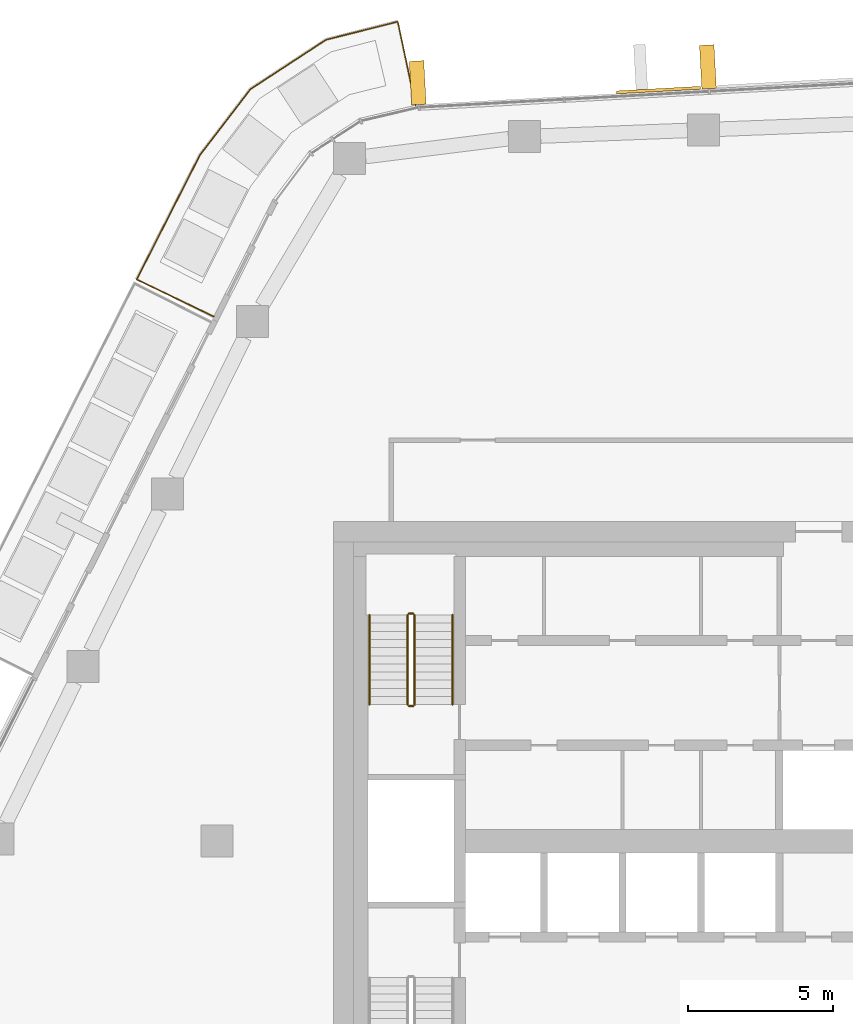
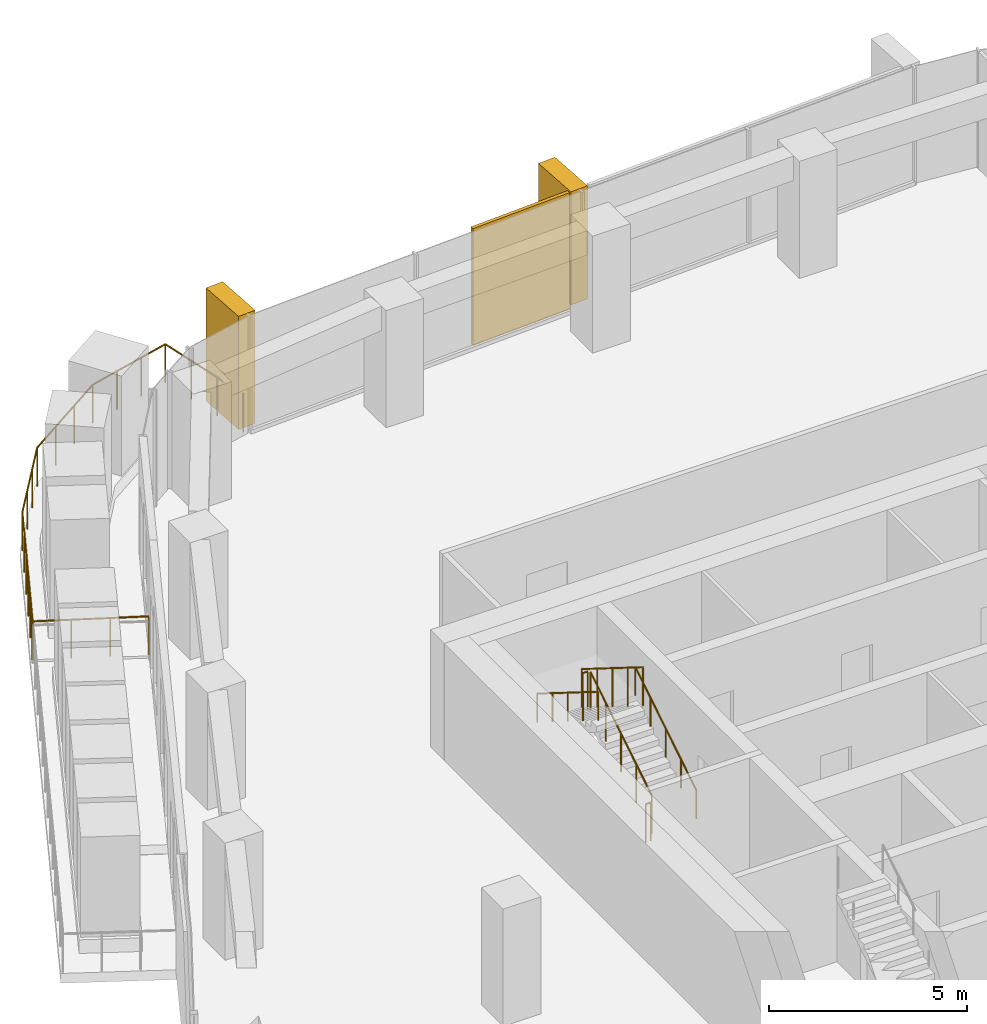
# One storey, part 19 of 21: 7 railings, 3 coverings, 1 element without a shape of its own.
"""IFC4 building model written with IfcOpenShell, lengths in metres."""

from ifc_helpers import new_model, si_unit, direction, frame, origin, origin_2d, place, context, subcontext, project, spatial, rectangle, circle, extrude, material, layer, layer_set, material_profile, profile_set, type_object, element, aggregate, save


model = new_model("IFC4")

# Units and contexts
model_context = context("Model", 3, precision=1e-05, world=origin(), true_north=direction((0.0, 1.0)))
body_context = subcontext(model_context, "Body", "Model", "MODEL_VIEW")
ifc_project = project(units=[si_unit("LENGTHUNIT", "METRE"), si_unit("AREAUNIT", "SQUARE_METRE"), si_unit("VOLUMEUNIT", "CUBIC_METRE"), si_unit("PLANEANGLEUNIT", "RADIAN"), si_unit("MASSUNIT", "GRAM", prefix="KILO")], contexts=[model_context])

# Site, building, storey
site_placement = place(None, origin())
site = spatial("IfcSite", under=ifc_project, at=site_placement, CompositionType="ELEMENT")
building_placement = place(site_placement, origin())
building = spatial("IfcBuilding", under=site, at=building_placement, Name="Dongbaek Canopy Tower", CompositionType="ELEMENT")
storey_placement = place(building_placement, frame((0.0, 0.0, 279.0)))
storey = spatial("IfcBuildingStorey", under=building, at=storey_placement, Name="L59", CompositionType="ELEMENT", Elevation=279.0)

# Railing
ifc_material_1 = material(Name="Stainless steel", Category="steel")
railing_type_1 = type_object("IfcRailingType", Name="Balcony balustrade 1200", PredefinedType="BALUSTRADE", material=ifc_material_1)
railing_1_placement = place(storey_placement, frame((-11.169921875, 25.3232421875, 0.0)))
element("IfcRailing", 1, at=railing_1_placement, inside=storey, type_object=railing_type_1, Name="Balcony guard L59 4", PredefinedType="BALUSTRADE", context=body_context, shape_type="SweptSolid", body=[
    extrude(circle(Radius=0.02392578125, at=origin_2d()), frame((0.0, 0.0, 1.17578125), z_axis=(-0.207646253832, 0.978203983466, 0.0), x_axis=(-0.978203983466, -0.207646253832, 0.0)), (0.0, 0.0, 1.0), 2.940673828125),
    extrude(circle(Radius=0.02392578125, at=origin_2d()), frame((-0.610595703125, 2.87646484375, 1.17578125), z_axis=(-0.969632826902, -0.244565289839, 0.0), x_axis=(0.244565289839, -0.969632826902, 0.0)), (0.0, 0.0, 1.0), 2.546630859375),
    extrude(circle(Radius=0.02392578125, at=origin_2d()), frame((-3.079833984375, 2.253662109375, 1.17578125), z_axis=(-0.837080327028, -0.547079999728, 0.0), x_axis=(0.547079999728, -0.837080327028, 0.0)), (0.0, 0.0, 1.0), 3.107421875),
    extrude(circle(Radius=0.02392578125, at=origin_2d()), frame((-5.680908203125, 0.5537109375, 1.17578125), z_axis=(-0.608618369296, -0.793463093379, 0.0), x_axis=(0.793463093379, -0.608618369296, 0.0)), (0.0, 0.0, 1.0), 2.852783203125),
    extrude(circle(Radius=0.02392578125, at=origin_2d()), frame((-7.417236328125, -1.7099609375, 1.17578125), z_axis=(-0.453134525134, -0.891442147383, 0.0), x_axis=(0.891442147383, -0.453134525134, 0.0)), (0.0, 0.0, 1.0), 4.80810546875),
    extrude(circle(Radius=0.02392578125, at=origin_2d()), frame((-9.595947265625, -5.99609375, 1.17578125), z_axis=(0.901533421436, -0.432709475322, 0.0), x_axis=(0.432709475322, 0.901533421436, 0.0)), (0.0, 0.0, 1.0), 2.940673828125),
    extrude(circle(Radius=0.02099609375, at=origin_2d()), origin(), (0.0, 0.0, 1.0), 1.15185546875),
    extrude(circle(Radius=0.02099609375, at=origin_2d()), frame((-0.20361328125, 0.958740234375, 0.0)), (0.0, 0.0, 1.0), 1.15185546875),
    extrude(circle(Radius=0.02099609375, at=origin_2d()), frame((-0.406982421875, 1.917724609375, 0.0)), (0.0, 0.0, 1.0), 1.15185546875),
    extrude(circle(Radius=0.02099609375, at=origin_2d()), frame((-0.610595703125, 2.87646484375, 0.0)), (0.0, 0.0, 1.0), 1.15185546875),
    extrude(circle(Radius=0.02099609375, at=origin_2d()), frame((-1.43359375, 2.6689453125, 0.0)), (0.0, 0.0, 1.0), 1.15185546875),
    extrude(circle(Radius=0.02099609375, at=origin_2d()), frame((-2.2568359375, 2.461181640625, 0.0)), (0.0, 0.0, 1.0), 1.15185546875),
    extrude(circle(Radius=0.02099609375, at=origin_2d()), frame((-3.079833984375, 2.253662109375, 0.0)), (0.0, 0.0, 1.0), 1.15185546875),
    extrude(circle(Radius=0.02099609375, at=origin_2d()), frame((-3.94677734375, 1.68701171875, 0.0)), (0.0, 0.0, 1.0), 1.15185546875),
    extrude(circle(Radius=0.02099609375, at=origin_2d()), frame((-4.81396484375, 1.120361328125, 0.0)), (0.0, 0.0, 1.0), 1.15185546875),
    extrude(circle(Radius=0.02099609375, at=origin_2d()), frame((-5.680908203125, 0.5537109375, 0.0)), (0.0, 0.0, 1.0), 1.15185546875),
    extrude(circle(Radius=0.02099609375, at=origin_2d()), frame((-6.259765625, -0.200927734375, 0.0)), (0.0, 0.0, 1.0), 1.15185546875),
    extrude(circle(Radius=0.02099609375, at=origin_2d()), frame((-6.83837890625, -0.955322265625, 0.0)), (0.0, 0.0, 1.0), 1.15185546875),
    extrude(circle(Radius=0.02099609375, at=origin_2d()), frame((-7.417236328125, -1.7099609375, 0.0)), (0.0, 0.0, 1.0), 1.15185546875),
    extrude(circle(Radius=0.02099609375, at=origin_2d()), frame((-7.85302734375, -2.567138671875, 0.0)), (0.0, 0.0, 1.0), 1.15185546875),
    extrude(circle(Radius=0.02099609375, at=origin_2d()), frame((-8.288818359375, -3.42431640625, 0.0)), (0.0, 0.0, 1.0), 1.15185546875),
    extrude(circle(Radius=0.02099609375, at=origin_2d()), frame((-8.724365234375, -4.28173828125, 0.0)), (0.0, 0.0, 1.0), 1.15185546875),
    extrude(circle(Radius=0.02099609375, at=origin_2d()), frame((-9.16015625, -5.138916015625, 0.0)), (0.0, 0.0, 1.0), 1.15185546875),
    extrude(circle(Radius=0.02099609375, at=origin_2d()), frame((-9.595947265625, -5.99609375, 0.0)), (0.0, 0.0, 1.0), 1.15185546875),
    extrude(circle(Radius=0.02099609375, at=origin_2d()), frame((-8.712158203125, -6.420166015625, 0.0)), (0.0, 0.0, 1.0), 1.15185546875),
    extrude(circle(Radius=0.02099609375, at=origin_2d()), frame((-7.82861328125, -6.844482421875, 0.0)), (0.0, 0.0, 1.0), 1.15185546875),
    extrude(circle(Radius=0.02099609375, at=origin_2d()), frame((-6.94482421875, -7.2685546875, 0.0)), (0.0, 0.0, 1.0), 1.15185546875),
])

# Curtain wall, coverings
ifc_material_2 = material(Name="Aluminium 6063-T6 pale anodised", Category="aluminium")
ifc_layer_1 = layer(ifc_material_2, 0.199951171875)
ifc_layer_set_1 = layer_set([ifc_layer_1], Name="CW-1 unitised tower curtain wall")
curtain_wall_type = type_object("IfcCurtainWallType", Name="CW-1 unitised tower curtain wall", PredefinedType="NOTDEFINED", material=ifc_layer_set_1)
curtain_wall_placement = place(storey_placement, origin())
curtain_wall = element("IfcCurtainWall", 2, at=curtain_wall_placement, inside=storey, type_object=curtain_wall_type, Name="CW-1 curtain wall F1.1", PredefinedType="NOTDEFINED")
ifc_material_3 = material(Name="Perforated aluminium 6063-T6 pale metal screen", Category="aluminium")
ifc_layer_2 = layer(ifc_material_3, 0.10009765625)
ifc_layer_set_2 = layer_set([ifc_layer_2], Name="Facet screen FS1 100 pale metal")
covering_type_1 = type_object("IfcCoveringType", Name="Facet screen FS1 100 pale metal", PredefinedType="CLADDING", material=ifc_layer_set_2)
covering_1_placement = place(storey_placement, frame((-2.8095703125, 25.847412109375, 0.0), z_axis=(0.0, 0.0, 1.0), x_axis=(-0.998495420632, -0.054835161861, 0.0)))
covering_1 = element("IfcCovering", 3, at=covering_1_placement, type_object=covering_type_1, Name="Facet screen L59 F1", PredefinedType="CLADDING", context=body_context, shape_type="SweptSolid", body=[
    extrude(rectangle(XDim=2.90478515625, YDim=0.10009765625, at=origin_2d()), origin(), (0.0, 0.0, 1.0), 3.60009765625),
])
ifc_material_4 = material(Name="Aluminium 6063-T6 pale metal fin", Category="aluminium")
ifc_material_profile = material_profile(ifc_material_4, rectangle(XDim=1.5, YDim=0.5, at=origin_2d()), Name="Fin FN1 500 x 1500 pale metal")
ifc_profile_set = profile_set([ifc_material_profile], Name="Aluminium 6063-T6 pale metal fin")
covering_type_2 = type_object("IfcCoveringType", Name="Fin FN1 500 x 1500 pale metal", PredefinedType="CLADDING", material=ifc_profile_set)
covering_2_placement = place(storey_placement, frame((-1.1083984375, 26.64599609375, 0.1201171875), z_axis=(0.0, 0.0, 1.0), x_axis=(-0.054835623277, 0.998495395292, 0.0)))
covering_2 = element("IfcCovering", 4, at=covering_2_placement, type_object=covering_type_2, Name="Fin F1.1.3", PredefinedType="CLADDING", context=body_context, shape_type="SweptSolid", body=[
    extrude(rectangle(XDim=1.5, YDim=0.5, at=origin_2d()), origin(), (0.0, 0.0, 1.0), 3.47998046875),
])
covering_3_placement = place(storey_placement, frame((-11.09521484375, 26.097412109375, 0.1201171875), z_axis=(0.0, 0.0, 1.0), x_axis=(-0.054835623277, 0.998495395292, 0.0)))
covering_3 = element("IfcCovering", 5, at=covering_3_placement, type_object=covering_type_2, Name="Fin F1.1.5", PredefinedType="CLADDING", context=body_context, shape_type="SweptSolid", body=[
    extrude(rectangle(XDim=1.5, YDim=0.5, at=origin_2d()), origin(), (0.0, 0.0, 1.0), 3.47998046875),
])
aggregate(curtain_wall, [covering_2, covering_3, covering_1])

# Railings
ifc_material_5 = material(Name="Stainless steel tube and balusters", Category="steel")
railing_type_2 = type_object("IfcRailingType", Name="Stair guard 1200", PredefinedType="GUARDRAIL", material=ifc_material_5)
railing_2_placement = place(storey_placement, frame((-11.199951171875, 4.699951171875, 0.175048828125)))
element("IfcRailing", 6, at=railing_2_placement, inside=storey, type_object=railing_type_2, Name="L59 ST-C stair guard 1", PredefinedType="GUARDRAIL", context=body_context, shape_type="SweptSolid", body=[
    extrude(circle(Radius=0.02392578125, at=origin_2d()), frame((0.0, 0.0, 1.17578125), z_axis=(0.0, 0.847998304005, 0.529998940003), x_axis=(-1.0, 0.0, 0.0)), (0.0, 0.0, 1.0), 3.632080078125),
    extrude(circle(Radius=0.02099609375, at=origin_2d()), origin(), (0.0, 0.0, 1.0), 1.15185546875),
    extrude(circle(Radius=0.02099609375, at=origin_2d()), frame((0.0, 0.77001953125, 0.481201171875)), (0.0, 0.0, 1.0), 1.15185546875),
    extrude(circle(Radius=0.02099609375, at=origin_2d()), frame((0.0, 1.5400390625, 0.96240234375)), (0.0, 0.0, 1.0), 1.15185546875),
    extrude(circle(Radius=0.02099609375, at=origin_2d()), frame((0.0, 2.31005859375, 1.44384765625)), (0.0, 0.0, 1.0), 1.15185546875),
    extrude(circle(Radius=0.02099609375, at=origin_2d()), frame((0.0, 3.080078125, 1.925048828125)), (0.0, 0.0, 1.0), 1.15185546875),
])
railing_3_placement = place(storey_placement, frame((-11.25, 7.830078125, 2.10009765625)))
element("IfcRailing", 7, at=railing_3_placement, inside=storey, type_object=railing_type_2, Name="L59 ST-C stair guard 2", PredefinedType="GUARDRAIL", context=body_context, shape_type="SweptSolid", body=[
    extrude(circle(Radius=0.02392578125, at=origin_2d()), frame((0.0, 0.0, 1.17578125), z_axis=(-1.0, 0.0, 0.0), x_axis=(0.0, -1.0, 0.0)), (0.0, 0.0, 1.0), 0.14990234375),
    extrude(circle(Radius=0.02099609375, at=origin_2d()), origin(), (0.0, 0.0, 1.0), 1.15185546875),
    extrude(circle(Radius=0.02099609375, at=origin_2d()), frame((-0.14990234375, 0.0, 0.0)), (0.0, 0.0, 1.0), 1.15185546875),
])
railing_4_placement = place(storey_placement, frame((-11.449951171875, 7.780029296875, 2.27490234375)))
element("IfcRailing", 8, at=railing_4_placement, inside=storey, type_object=railing_type_2, Name="L59 ST-C stair guard 3", PredefinedType="GUARDRAIL", context=body_context, shape_type="SweptSolid", body=[
    extrude(circle(Radius=0.02392578125, at=origin_2d()), frame((0.0, 0.0, 1.17578125), z_axis=(0.0, -0.847998304005, 0.529998940003), x_axis=(1.0, 0.0, 0.0)), (0.0, 0.0, 1.0), 3.632080078125),
    extrude(circle(Radius=0.02099609375, at=origin_2d()), origin(), (0.0, 0.0, 1.0), 1.15185546875),
    extrude(circle(Radius=0.02099609375, at=origin_2d()), frame((0.0, -0.77001953125, 0.481201171875)), (0.0, 0.0, 1.0), 1.15185546875),
    extrude(circle(Radius=0.02099609375, at=origin_2d()), frame((0.0, -1.5400390625, 0.96240234375)), (0.0, 0.0, 1.0), 1.15185546875),
    extrude(circle(Radius=0.02099609375, at=origin_2d()), frame((0.0, -2.31005859375, 1.44384765625)), (0.0, 0.0, 1.0), 1.15185546875),
    extrude(circle(Radius=0.02099609375, at=origin_2d()), frame((0.0, -3.080078125, 1.925048828125)), (0.0, 0.0, 1.0), 1.15185546875),
])
railing_5_placement = place(storey_placement, frame((-11.25, 4.64990234375, 0.0)))
element("IfcRailing", 9, at=railing_5_placement, inside=storey, type_object=railing_type_2, Name="L59 ST-C stair guard 4", PredefinedType="GUARDRAIL", context=body_context, shape_type="SweptSolid", body=[
    extrude(circle(Radius=0.02392578125, at=origin_2d()), frame((0.0, 0.0, 1.17578125), z_axis=(-1.0, 0.0, 0.0), x_axis=(0.0, -1.0, 0.0)), (0.0, 0.0, 1.0), 0.14990234375),
    extrude(circle(Radius=0.02099609375, at=origin_2d()), origin(), (0.0, 0.0, 1.0), 1.15185546875),
    extrude(circle(Radius=0.02099609375, at=origin_2d()), frame((-0.14990234375, 0.0, 0.0)), (0.0, 0.0, 1.0), 1.15185546875),
])
ifc_material_6 = material(Name="Stainless steel tube", Category="steel")
railing_type_3 = type_object("IfcRailingType", Name="Stair handrail 900", PredefinedType="HANDRAIL", material=ifc_material_6)
railing_6_placement = place(storey_placement, frame((-9.89990234375, 4.699951171875, 0.175048828125)))
element("IfcRailing", 10, at=railing_6_placement, inside=storey, type_object=railing_type_3, Name="L59 ST-C stair handrail 1", PredefinedType="HANDRAIL", context=body_context, shape_type="SweptSolid", body=[
    extrude(circle(Radius=0.02392578125, at=origin_2d()), frame((0.0, 0.0, 0.8759765625), z_axis=(0.0, 0.847998304005, 0.529998940003), x_axis=(-1.0, 0.0, 0.0)), (0.0, 0.0, 1.0), 3.632080078125),
    extrude(circle(Radius=0.02099609375, at=origin_2d()), origin(), (0.0, 0.0, 1.0), 0.851806640625),
    extrude(circle(Radius=0.02099609375, at=origin_2d()), frame((0.0, 0.77001953125, 0.481201171875)), (0.0, 0.0, 1.0), 0.851806640625),
    extrude(circle(Radius=0.02099609375, at=origin_2d()), frame((0.0, 1.5400390625, 0.96240234375)), (0.0, 0.0, 1.0), 0.851806640625),
    extrude(circle(Radius=0.02099609375, at=origin_2d()), frame((0.0, 2.31005859375, 1.44384765625)), (0.0, 0.0, 1.0), 0.851806640625),
    extrude(circle(Radius=0.02099609375, at=origin_2d()), frame((0.0, 3.080078125, 1.925048828125)), (0.0, 0.0, 1.0), 0.851806640625),
])
railing_7_placement = place(storey_placement, frame((-12.75, 7.780029296875, 2.27490234375)))
element("IfcRailing", 11, at=railing_7_placement, inside=storey, type_object=railing_type_3, Name="L59 ST-C stair handrail 2", PredefinedType="HANDRAIL", context=body_context, shape_type="SweptSolid", body=[
    extrude(circle(Radius=0.02392578125, at=origin_2d()), frame((0.0, 0.0, 0.8759765625), z_axis=(0.0, -0.847998304005, 0.529998940003), x_axis=(1.0, 0.0, 0.0)), (0.0, 0.0, 1.0), 3.632080078125),
    extrude(circle(Radius=0.02099609375, at=origin_2d()), origin(), (0.0, 0.0, 1.0), 0.851806640625),
    extrude(circle(Radius=0.02099609375, at=origin_2d()), frame((0.0, -0.77001953125, 0.481201171875)), (0.0, 0.0, 1.0), 0.851806640625),
    extrude(circle(Radius=0.02099609375, at=origin_2d()), frame((0.0, -1.5400390625, 0.96240234375)), (0.0, 0.0, 1.0), 0.851806640625),
    extrude(circle(Radius=0.02099609375, at=origin_2d()), frame((0.0, -2.31005859375, 1.44384765625)), (0.0, 0.0, 1.0), 0.851806640625),
    extrude(circle(Radius=0.02099609375, at=origin_2d()), frame((0.0, -3.080078125, 1.925048828125)), (0.0, 0.0, 1.0), 0.851806640625),
])

save(model, "model.ifc")
